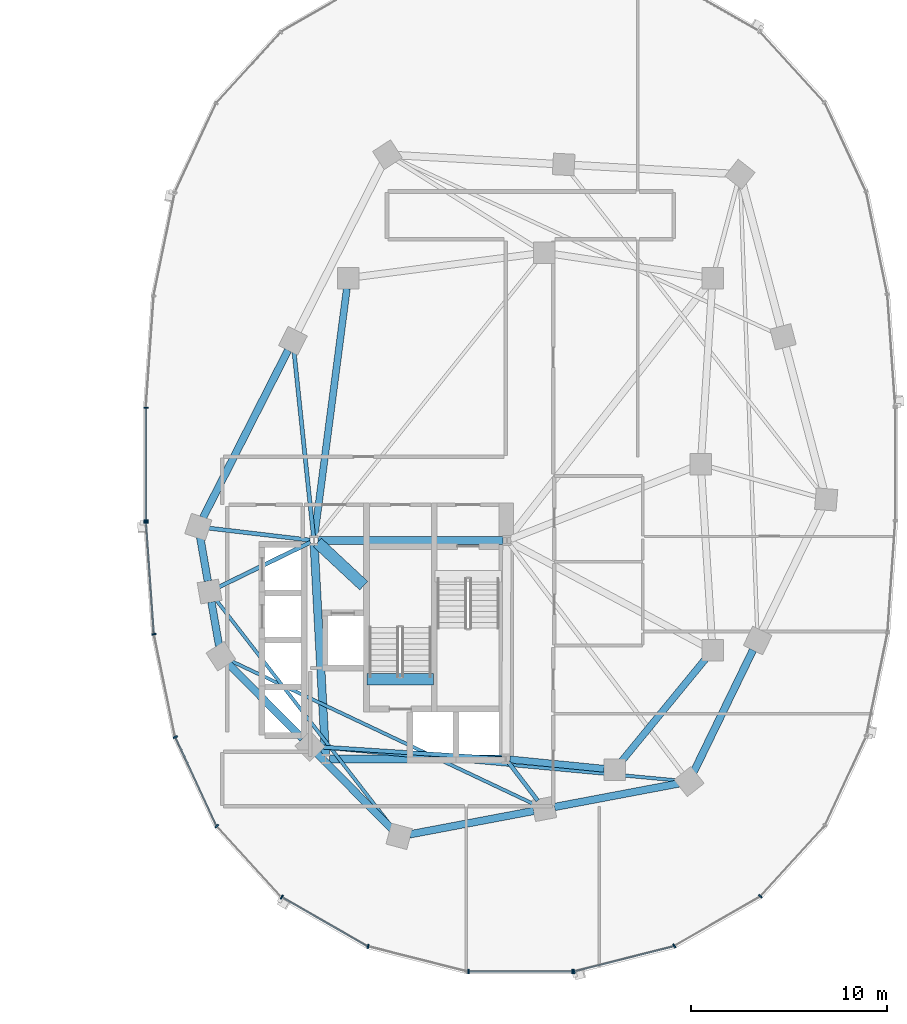
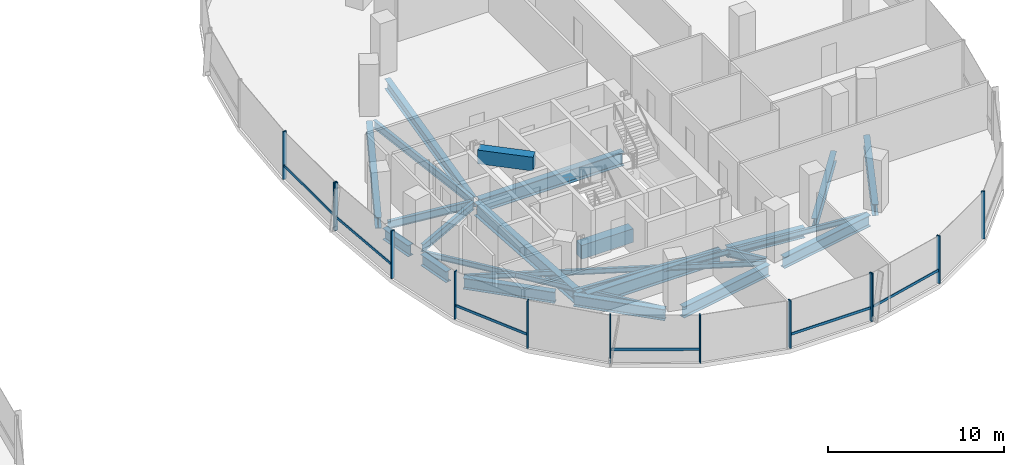
# One storey, part 5 of 21: 24 beams, 19 members, 3 elements without a shape of their own.
"""IFC4 building model written with IfcOpenShell, lengths in metres."""

from ifc_helpers import new_model, si_unit, direction, frame, origin, origin_2d, place, context, subcontext, project, spatial, rectangle, i_section, extrude, material, material_profile, profile_set, type_object, element, aggregate, save


model = new_model("IFC4")

# Units and contexts
model_context = context("Model", 3, precision=1e-05, world=origin(), true_north=direction((0.0, 1.0)))
body_context = subcontext(model_context, "Body", "Model", "MODEL_VIEW")
ifc_project = project(units=[si_unit("LENGTHUNIT", "METRE"), si_unit("AREAUNIT", "SQUARE_METRE"), si_unit("VOLUMEUNIT", "CUBIC_METRE"), si_unit("PLANEANGLEUNIT", "RADIAN"), si_unit("MASSUNIT", "GRAM", prefix="KILO"), si_unit("THERMODYNAMICTEMPERATUREUNIT", "KELVIN"), si_unit("POWERUNIT", "WATT")], contexts=[model_context])

# Site, building, storey
site_placement = place(None, origin())
site = spatial("IfcSite", under=ifc_project, at=site_placement, CompositionType="ELEMENT")
building_placement = place(site_placement, origin())
building = spatial("IfcBuilding", under=site, at=building_placement, Name="Cundina Bronze Exchange", CompositionType="ELEMENT")
storey_placement = place(building_placement, frame((0.0, 0.0, 89.0)))
storey = spatial("IfcBuildingStorey", under=building, at=storey_placement, Name="L22", CompositionType="ELEMENT", Elevation=89.0)

# Beams
ifc_material_1 = material(Name="Concrete C60/75", Category="concrete")
ifc_material_profile_1 = material_profile(ifc_material_1, rectangle(XDim=0.60009765625, YDim=0.949951171875, at=origin_2d()), Name="RC600X950", Category="concrete")
ifc_profile_set_1 = profile_set([ifc_material_profile_1], Name="Concrete C60/75")
beam_type_1 = type_object("IfcBeamType", Name="BM-COUP-RC950", PredefinedType="LINTEL", material=ifc_profile_set_1)
beam_1_placement = place(storey_placement, frame((24.159912109375, -10.97998046875, -0.47509765625), z_axis=(1.0, 0.0, 0.0), x_axis=(0.0, 1.0, 0.0)))
element("IfcBeam", 1, at=beam_1_placement, inside=storey, type_object=beam_type_1, Name="L22 Stair E2 Landing Header Beam", PredefinedType="LINTEL", context=body_context, shape_type="SweptSolid", body=[
    extrude(rectangle(XDim=0.60009765625, YDim=0.949951171875, at=origin_2d()), origin(), (0.0, 0.0, 1.0), 3.400146484375),
])
beam_2_placement = place(storey_placement, frame((21.6298828125, -4.0, 2.824951171875), z_axis=(0.731490439815, -0.681851696822, 0.0), x_axis=(0.681851696822, 0.731490439815, 0.0)))
element("IfcBeam", 2, at=beam_2_placement, inside=storey, type_object=beam_type_1, Name="L22 E Core Shear Coupling Lintel Beam", PredefinedType="LINTEL", context=body_context, shape_type="SweptSolid", body=[
    extrude(rectangle(XDim=0.60009765625, YDim=0.949951171875, at=origin_2d()), origin(), (0.0, 0.0, 1.0), 3.226318359375),
])
ifc_material_2 = material(Name="Steel ASTM A992 Grade 50", Category="steel")
ifc_material_profile_2 = material_profile(ifc_material_2, i_section(OverallWidth=0.2099609375, OverallDepth=0.532958984375, WebThickness=0.01025390625, FlangeThickness=0.015625, FilletRadius=0.013916015625, at=origin_2d()), Name="W21X62", Category="steel")
ifc_profile_set_2 = profile_set([ifc_material_profile_2], Name="Steel ASTM A992 Grade 50")
beam_type_2 = type_object("IfcBeamType", Name="BM-FLR-W21B", PredefinedType="BEAM", material=ifc_profile_set_2)
beam_3_placement = place(storey_placement, frame((21.247314453125, -3.8759765625, -0.56640625), z_axis=(-0.993035701683, 0.117813815752, 0.0), x_axis=(-0.117813815752, -0.993035701683, 0.0)))
element("IfcBeam", 3, at=beam_3_placement, inside=storey, type_object=beam_type_2, Name="L22 Leg E Chordal Floor Beam 00", PredefinedType="BEAM", context=body_context, shape_type="SweptSolid", body=[
    extrude(i_section(OverallWidth=0.2099609375, OverallDepth=0.532958984375, WebThickness=0.01025390625, FlangeThickness=0.015625, FilletRadius=0.013916015625, at=origin_2d()), origin(), (0.0, 0.0, 1.0), 5.19921875),
])
beam_4_placement = place(storey_placement, frame((21.2666015625, -3.989501953125, -0.56640625), z_axis=(-0.898607246385, -0.438753936443, 0.0), x_axis=(0.438753936443, -0.898607246385, 0.0)))
element("IfcBeam", 4, at=beam_4_placement, inside=storey, type_object=beam_type_2, Name="L22 Leg E Chordal Floor Beam 01", PredefinedType="BEAM", context=body_context, shape_type="SweptSolid", body=[
    extrude(i_section(OverallWidth=0.2099609375, OverallDepth=0.532958984375, WebThickness=0.01025390625, FlangeThickness=0.015625, FilletRadius=0.013916015625, at=origin_2d()), origin(), (0.0, 0.0, 1.0), 5.183837890625),
])
beam_5_placement = place(storey_placement, frame((31.04638671875, -15.036865234375, -0.56640625), z_axis=(-0.997892901568, 0.064882640211, 0.0), x_axis=(-0.064882640211, -0.997892901568, 0.0)))
element("IfcBeam", 5, at=beam_5_placement, inside=storey, type_object=beam_type_2, Name="L22 Leg E Chordal Floor Beam 03", PredefinedType="BEAM", context=body_context, shape_type="SweptSolid", body=[
    extrude(i_section(OverallWidth=0.2099609375, OverallDepth=0.532958984375, WebThickness=0.01025390625, FlangeThickness=0.015625, FilletRadius=0.013916015625, at=origin_2d()), origin(), (0.0, 0.0, 1.0), 9.279052734375),
])
beam_6_placement = place(storey_placement, frame((31.373779296875, -15.2119140625, -0.56640625), z_axis=(0.607490490457, -0.79432695032, 0.0), x_axis=(0.79432695032, 0.607490490457, 0.0)))
element("IfcBeam", 6, at=beam_6_placement, inside=storey, type_object=beam_type_2, Name="L22 Leg E Chordal Floor Beam 05", PredefinedType="BEAM", context=body_context, shape_type="SweptSolid", body=[
    extrude(i_section(OverallWidth=0.2099609375, OverallDepth=0.532958984375, WebThickness=0.01025390625, FlangeThickness=0.015625, FilletRadius=0.013916015625, at=origin_2d()), origin(), (0.0, 0.0, 1.0), 2.46826171875),
])
beam_7_placement = place(storey_placement, frame((21.4287109375, -3.697021484375, -0.56640625), z_axis=(-0.104822364957, 0.994490961148, 0.0), x_axis=(-0.994490961148, -0.104822364957, 0.0)))
element("IfcBeam", 7, at=beam_7_placement, inside=storey, type_object=beam_type_2, Name="L22 Leg E Chordal Floor Beam 13", PredefinedType="BEAM", context=body_context, shape_type="SweptSolid", body=[
    extrude(i_section(OverallWidth=0.2099609375, OverallDepth=0.532958984375, WebThickness=0.01025390625, FlangeThickness=0.015625, FilletRadius=0.013916015625, at=origin_2d()), origin(), (0.0, 0.0, 1.0), 9.514404296875),
])
ifc_material_profile_3 = material_profile(ifc_material_2, i_section(OverallWidth=0.172119140625, OverallDepth=0.35791015625, WebThickness=0.0078125, FlangeThickness=0.01318359375, FilletRadius=0.010009765625, at=origin_2d()), Name="W14X38", Category="steel")
ifc_profile_set_3 = profile_set([ifc_material_profile_3], Name="Steel ASTM A992 Grade 50")
beam_type_3 = type_object("IfcBeamType", Name="BM-JST-W14", PredefinedType="JOIST", material=ifc_profile_set_3)
beam_8_placement = place(storey_placement, frame((16.454345703125, -6.92529296875, -0.47900390625), z_axis=(0.612065218806, -0.790807288742, 0.0), x_axis=(0.790807288742, 0.612065218806, 0.0)))
element("IfcBeam", 8, at=beam_8_placement, inside=storey, type_object=beam_type_3, Name="L22 Leg E Lobe Floor Joist 01-04", PredefinedType="JOIST", context=body_context, shape_type="SweptSolid", body=[
    extrude(i_section(OverallWidth=0.172119140625, OverallDepth=0.35791015625, WebThickness=0.0078125, FlangeThickness=0.01318359375, FilletRadius=0.010009765625, at=origin_2d()), origin(), (0.0, 0.0, 1.0), 14.73095703125),
])
beam_9_placement = place(storey_placement, frame((17.186279296875, -10.02978515625, -0.47900390625), z_axis=(0.904069270633, -0.427385954259, 0.0), x_axis=(0.427385954259, 0.904069270633, 0.0)))
element("IfcBeam", 9, at=beam_9_placement, inside=storey, type_object=beam_type_3, Name="L22 Leg E Lobe Floor Joist 02-05", PredefinedType="JOIST", context=body_context, shape_type="SweptSolid", body=[
    extrude(i_section(OverallWidth=0.172119140625, OverallDepth=0.35791015625, WebThickness=0.0078125, FlangeThickness=0.01318359375, FilletRadius=0.010009765625, at=origin_2d()), origin(), (0.0, 0.0, 1.0), 17.175048828125),
])
beam_10_placement = place(storey_placement, frame((21.78564453125, -14.44970703125, -0.47900390625), z_axis=(0.995700674022, -0.092629194921, 0.0), x_axis=(0.092629194921, 0.995700674022, 0.0)))
element("IfcBeam", 10, at=beam_10_placement, inside=storey, type_object=beam_type_3, Name="L22 Leg E Lobe Floor Joist 03-06", PredefinedType="JOIST", context=body_context, shape_type="SweptSolid", body=[
    extrude(i_section(OverallWidth=0.172119140625, OverallDepth=0.35791015625, WebThickness=0.0078125, FlangeThickness=0.01318359375, FilletRadius=0.010009765625, at=origin_2d()), origin(), (0.0, 0.0, 1.0), 18.357421875),
])
ifc_material_profile_4 = material_profile(ifc_material_2, i_section(OverallWidth=0.35498046875, OverallDepth=0.695068359375, WebThickness=0.015380859375, FlangeThickness=0.02490234375, FilletRadius=0.01806640625, at=origin_2d()), Name="W27X146", Category="steel")
ifc_profile_set_4 = profile_set([ifc_material_profile_4], Name="Steel ASTM A992 Grade 50")
beam_type_4 = type_object("IfcBeamType", Name="BM-RING-W27", PredefinedType="USERDEFINED", material=ifc_profile_set_4)
beam_11_placement = place(storey_placement, frame((31.452880859375, -15.070068359375, -0.6474609375), z_axis=(0.995126271817, -0.098608839051, 0.0), x_axis=(0.098608839051, 0.995126271817, 0.0)))
element("IfcBeam", 11, at=beam_11_placement, inside=storey, type_object=beam_type_4, Name="L22 E Inner Structural Ring Girder 01", ObjectType="GIRDER", PredefinedType="USERDEFINED", context=body_context, shape_type="SweptSolid", body=[
    extrude(i_section(OverallWidth=0.35498046875, OverallDepth=0.695068359375, WebThickness=0.015380859375, FlangeThickness=0.02490234375, FilletRadius=0.01806640625, at=origin_2d()), origin(), (0.0, 0.0, 1.0), 4.83544921875),
])
beam_12_placement = place(storey_placement, frame((37.14111328125, -15.183837890625, -0.6474609375), z_axis=(0.633926549035, 0.773393257295, 0.0), x_axis=(-0.773393257295, 0.633926549035, 0.0)))
element("IfcBeam", 12, at=beam_12_placement, inside=storey, type_object=beam_type_4, Name="L22 E Inner Structural Ring Girder 02", ObjectType="GIRDER", PredefinedType="USERDEFINED", context=body_context, shape_type="SweptSolid", body=[
    extrude(i_section(OverallWidth=0.35498046875, OverallDepth=0.695068359375, WebThickness=0.015380859375, FlangeThickness=0.02490234375, FilletRadius=0.01806640625, at=origin_2d()), origin(), (0.0, 0.0, 1.0), 6.811279296875),
])
beam_13_placement = place(storey_placement, frame((23.13037109375, 8.966552734375, -0.6474609375), z_axis=(-0.129507526533, -0.99157843894, 0.0), x_axis=(0.99157843894, -0.129507526533, 0.0)))
element("IfcBeam", 13, at=beam_13_placement, inside=storey, type_object=beam_type_4, Name="L22 E Inner Structural Ring Girder 07", ObjectType="GIRDER", PredefinedType="USERDEFINED", context=body_context, shape_type="SweptSolid", body=[
    extrude(i_section(OverallWidth=0.35498046875, OverallDepth=0.695068359375, WebThickness=0.015380859375, FlangeThickness=0.02490234375, FilletRadius=0.01806640625, at=origin_2d()), origin(), (0.0, 0.0, 1.0), 12.77197265625),
])
ifc_material_profile_5 = material_profile(ifc_material_2, i_section(OverallWidth=0.381103515625, OverallDepth=0.77294921875, WebThickness=0.0166015625, FlangeThickness=0.027099609375, FilletRadius=0.01904296875, at=origin_2d()), Name="W30X173", Category="steel")
ifc_profile_set_5 = profile_set([ifc_material_profile_5], Name="Steel ASTM A992 Grade 50")
beam_type_5 = type_object("IfcBeamType", Name="BM-RING-W30", PredefinedType="USERDEFINED", material=ifc_profile_set_5)
for number, where, z_axis, x_axis, name in (
    (14, (15.642333984375, -3.72998046875, -0.6865234375), (0.171690078326, -0.985151012284, 0.0), (0.985151012284, 0.171690078326, 0.0), "L22 E Perimeter Ring Girder 00"),
    (15, (16.21728515625, -7.030029296875, -0.6865234375), (0.171690078326, -0.985151012284, 0.0), (0.985151012284, 0.171690078326, 0.0), "L22 E Perimeter Ring Girder 01"),
):
    element("IfcBeam", number, at=place(storey_placement, frame(where, z_axis=z_axis, x_axis=x_axis)), inside=storey, type_object=beam_type_5, Name=name, ObjectType="GIRDER", PredefinedType="USERDEFINED", context=body_context, shape_type="SweptSolid", body=[
        extrude(i_section(OverallWidth=0.381103515625, OverallDepth=0.77294921875, WebThickness=0.0166015625, FlangeThickness=0.027099609375, FilletRadius=0.01904296875, at=origin_2d()), origin(), (0.0, 0.0, 1.0), 2.273681640625),
    ])
for number, where, z_axis, x_axis, name in (
    (16, (17.078369140625, -10.1826171875, -0.6865234375), (0.703226342126, -0.7109660412, 0.0), (0.7109660412, 0.703226342126, 0.0), "L22 E Perimeter Ring Girder 02"),
    (17, (21.62841796875, -14.782470703125, -0.6865234375), (0.703226342126, -0.7109660412, 0.0), (0.7109660412, 0.703226342126, 0.0), "L22 E Perimeter Ring Girder 03"),
):
    element("IfcBeam", number, at=place(storey_placement, frame(where, z_axis=z_axis, x_axis=x_axis)), inside=storey, type_object=beam_type_5, Name=name, ObjectType="GIRDER", PredefinedType="USERDEFINED", context=body_context, shape_type="SweptSolid", body=[
        extrude(i_section(OverallWidth=0.381103515625, OverallDepth=0.77294921875, WebThickness=0.0166015625, FlangeThickness=0.027099609375, FilletRadius=0.01904296875, at=origin_2d()), origin(), (0.0, 0.0, 1.0), 5.39404296875),
    ])
for number, where, z_axis, x_axis, name in (
    (18, (26.32861328125, -18.89990234375, -0.6865234375), (0.98257117919, 0.185886733861, 0.0), (-0.185886733861, 0.98257117919, 0.0), "L22 E Perimeter Ring Girder 04"),
    (19, (33.728515625, -17.5, -0.6865234375), (0.98257117919, 0.185886733861, 0.0), (-0.185886733861, 0.98257117919, 0.0), "L22 E Perimeter Ring Girder 05"),
):
    element("IfcBeam", number, at=place(storey_placement, frame(where, z_axis=z_axis, x_axis=x_axis)), inside=storey, type_object=beam_type_5, Name=name, ObjectType="GIRDER", PredefinedType="USERDEFINED", context=body_context, shape_type="SweptSolid", body=[
        extrude(i_section(OverallWidth=0.381103515625, OverallDepth=0.77294921875, WebThickness=0.0166015625, FlangeThickness=0.027099609375, FilletRadius=0.01904296875, at=origin_2d()), origin(), (0.0, 0.0, 1.0), 6.455322265625),
    ])
beam_14_placement = place(storey_placement, frame((40.835205078125, -15.716064453125, -0.6865234375), z_axis=(0.437193894283, 0.899367276924, 0.0), x_axis=(-0.899367276924, 0.437193894283, 0.0)))
element("IfcBeam", 20, at=beam_14_placement, inside=storey, type_object=beam_type_5, Name="L22 E Perimeter Ring Girder 06", ObjectType="GIRDER", PredefinedType="USERDEFINED", context=body_context, shape_type="SweptSolid", body=[
    extrude(i_section(OverallWidth=0.381103515625, OverallDepth=0.77294921875, WebThickness=0.0166015625, FlangeThickness=0.027099609375, FilletRadius=0.01904296875, at=origin_2d()), origin(), (0.0, 0.0, 1.0), 6.929443359375),
])
beam_15_placement = place(storey_placement, frame((20.13134765625, 5.8203125, -0.6865234375), z_axis=(-0.452832332744, -0.891595692241, 0.0), x_axis=(0.891595692241, -0.452832332744, 0.0)))
element("IfcBeam", 21, at=beam_15_placement, inside=storey, type_object=beam_type_5, Name="L22 E Perimeter Ring Girder 13", ObjectType="GIRDER", PredefinedType="USERDEFINED", context=body_context, shape_type="SweptSolid", body=[
    extrude(i_section(OverallWidth=0.381103515625, OverallDepth=0.77294921875, WebThickness=0.0166015625, FlangeThickness=0.027099609375, FilletRadius=0.01904296875, at=origin_2d()), origin(), (0.0, 0.0, 1.0), 9.578857421875),
])
ifc_material_profile_6 = material_profile(ifc_material_2, i_section(OverallWidth=0.41796875, OverallDepth=0.927001953125, WebThickness=0.019287109375, FlangeThickness=0.031982421875, FilletRadius=0.02392578125, at=origin_2d()), Name="W36X231", Category="steel")
ifc_profile_set_6 = profile_set([ifc_material_profile_6], Name="Steel ASTM A992 Grade 50")
beam_type_6 = type_object("IfcBeamType", Name="BM-WRN-W36B", PredefinedType="USERDEFINED", material=ifc_profile_set_6)
beam_16_placement = place(storey_placement, frame((31.095947265625, -3.89990234375, -0.763427734375), z_axis=(-1.0, 0.0, 0.0), x_axis=(0.0, -1.0, 0.0)))
element("IfcBeam", 22, at=beam_16_placement, inside=storey, type_object=beam_type_6, Name="L22 E Core Perimeter Tie Girder 1", ObjectType="GIRDER", PredefinedType="USERDEFINED", context=body_context, shape_type="SweptSolid", body=[
    extrude(i_section(OverallWidth=0.41796875, OverallDepth=0.927001953125, WebThickness=0.019287109375, FlangeThickness=0.031982421875, FilletRadius=0.02392578125, at=origin_2d()), origin(), (0.0, 0.0, 1.0), 9.44189453125),
])
beam_17_placement = place(storey_placement, frame((21.4609375, -4.103759765625, -0.763427734375), z_axis=(0.053739193498, -0.998555005537, 0.0), x_axis=(0.998555005537, 0.053739193498, 0.0)))
element("IfcBeam", 23, at=beam_17_placement, inside=storey, type_object=beam_type_6, Name="L22 E Core Perimeter Tie Girder 2", ObjectType="GIRDER", PredefinedType="USERDEFINED", context=body_context, shape_type="SweptSolid", body=[
    extrude(i_section(OverallWidth=0.41796875, OverallDepth=0.927001953125, WebThickness=0.019287109375, FlangeThickness=0.031982421875, FilletRadius=0.02392578125, at=origin_2d()), origin(), (0.0, 0.0, 1.0), 10.758056640625),
])
beam_18_placement = place(storey_placement, frame((22.25390625, -15.050048828125, -0.763427734375), z_axis=(1.0, 0.0, 0.0), x_axis=(0.0, 1.0, 0.0)))
element("IfcBeam", 24, at=beam_18_placement, inside=storey, type_object=beam_type_6, Name="L22 E Core Perimeter Tie Girder 3", ObjectType="GIRDER", PredefinedType="USERDEFINED", context=body_context, shape_type="SweptSolid", body=[
    extrude(i_section(OverallWidth=0.41796875, OverallDepth=0.927001953125, WebThickness=0.019287109375, FlangeThickness=0.031982421875, FilletRadius=0.02392578125, at=origin_2d()), origin(), (0.0, 0.0, 1.0), 8.7919921875),
])

# Curtain wall, members
ifc_material_3 = material(Name="Anodised Bronze Aluminium 6063-T6", Category="aluminium")
curtain_wall_type = type_object("IfcCurtainWallType", Name="CWS-TRD-MID", PredefinedType="NOTDEFINED", material=ifc_material_3)
curtain_wall_1_placement = place(storey_placement, origin())
curtain_wall_1 = element("IfcCurtainWall", 25, at=curtain_wall_1_placement, inside=storey, type_object=curtain_wall_type, Name="L22 CW-03 Curtain Wall Run CWR-L22-E2", PredefinedType="NOTDEFINED")
ifc_material_profile_7 = material_profile(ifc_material_3, rectangle(XDim=0.074951171875, YDim=0.219970703125, at=origin_2d()), Name="AL75X220", Category="aluminium")
ifc_profile_set_7 = profile_set([ifc_material_profile_7], Name="Anodised Bronze Aluminium 6063-T6")
member_type_1 = type_object("IfcMemberType", Name="CWM-MUL-220", PredefinedType="MULLION", material=ifc_profile_set_7)
member_1_placement = place(storey_placement, frame((12.8720703125, 2.880615234375, 0.0), z_axis=(0.0, 0.0, 1.0), x_axis=(0.0, -1.0, 0.0)))
member_1 = element("IfcMember", 26, at=member_1_placement, type_object=member_type_1, Name="CW-03 Mullion 7", PredefinedType="MULLION", context=body_context, shape_type="SweptSolid", body=[
    extrude(rectangle(XDim=0.074951171875, YDim=0.219970703125, at=origin_2d()), origin(), (0.0, 0.0, 1.0), 3.300048828125),
])
member_2_placement = place(storey_placement, frame((12.8720703125, -2.880615234375, 0.0), z_axis=(0.0, 0.0, 1.0), x_axis=(0.0, -1.0, 0.0)))
member_2 = element("IfcMember", 27, at=member_2_placement, type_object=member_type_1, Name="CW-03 End Mullion", PredefinedType="MULLION", context=body_context, shape_type="SweptSolid", body=[
    extrude(rectangle(XDim=0.074951171875, YDim=0.219970703125, at=origin_2d()), origin(), (0.0, 0.0, 1.0), 3.300048828125),
])

curtain_wall_2_placement = place(storey_placement, origin())
curtain_wall_2 = element("IfcCurtainWall", 28, at=curtain_wall_2_placement, inside=storey, type_object=curtain_wall_type, Name="L22 CW-03 Curtain Wall Run CWR-L22-E3", PredefinedType="NOTDEFINED")
member_3_placement = place(storey_placement, frame((12.87548828125, -2.976318359375, 0.0), z_axis=(0.0, 0.0, 1.0), x_axis=(0.070278787473, -0.997527389113, 0.0)))
member_3 = element("IfcMember", 29, at=member_3_placement, type_object=member_type_1, Name="CW-03 Mullion 1", PredefinedType="MULLION", context=body_context, shape_type="SweptSolid", body=[
    extrude(rectangle(XDim=0.074951171875, YDim=0.219970703125, at=origin_2d()), origin(), (0.0, 0.0, 1.0), 3.300048828125),
])
member_4_placement = place(storey_placement, frame((13.282958984375, -8.67822265625, 0.0), z_axis=(0.0, 0.0, 1.0), x_axis=(0.201419845156, -0.979505000486, 0.0)))
member_4 = element("IfcMember", 30, at=member_4_placement, type_object=member_type_1, Name="CW-03 Mullion 2", PredefinedType="MULLION", context=body_context, shape_type="SweptSolid", body=[
    extrude(rectangle(XDim=0.074951171875, YDim=0.219970703125, at=origin_2d()), origin(), (0.0, 0.0, 1.0), 3.300048828125),
])
member_5_placement = place(storey_placement, frame((14.3720703125, -13.931884765625, 0.0), z_axis=(0.0, 0.0, 1.0), x_axis=(0.42087749791, -0.907117485088, 0.0)))
member_5 = element("IfcMember", 31, at=member_5_placement, type_object=member_type_1, Name="CW-03 Mullion 3", PredefinedType="MULLION", context=body_context, shape_type="SweptSolid", body=[
    extrude(rectangle(XDim=0.074951171875, YDim=0.219970703125, at=origin_2d()), origin(), (0.0, 0.0, 1.0), 3.300048828125),
])
member_6_placement = place(storey_placement, frame((16.491455078125, -18.47705078125, 0.0), z_axis=(0.0, 0.0, 1.0), x_axis=(0.674302387584, -0.738455340626, 0.0)))
member_6 = element("IfcMember", 32, at=member_6_placement, type_object=member_type_1, Name="CW-03 Mullion 4", PredefinedType="MULLION", context=body_context, shape_type="SweptSolid", body=[
    extrude(rectangle(XDim=0.074951171875, YDim=0.219970703125, at=origin_2d()), origin(), (0.0, 0.0, 1.0), 3.300048828125),
])
member_7_placement = place(storey_placement, frame((19.810302734375, -22.097412109375, 0.0), z_axis=(0.0, 0.0, 1.0), x_axis=(0.867070701164, -0.498185105339, 0.0)))
member_7 = element("IfcMember", 33, at=member_7_placement, type_object=member_type_1, Name="CW-03 Mullion 5", PredefinedType="MULLION", context=body_context, shape_type="SweptSolid", body=[
    extrude(rectangle(XDim=0.074951171875, YDim=0.219970703125, at=origin_2d()), origin(), (0.0, 0.0, 1.0), 3.300048828125),
])
member_8_placement = place(storey_placement, frame((24.21484375, -24.61669921875, 0.0), z_axis=(0.0, 0.0, 1.0), x_axis=(0.969488149345, -0.245138182011, 0.0)))
member_8 = element("IfcMember", 34, at=member_8_placement, type_object=member_type_1, Name="CW-03 Mullion 6", PredefinedType="MULLION", context=body_context, shape_type="SweptSolid", body=[
    extrude(rectangle(XDim=0.074951171875, YDim=0.219970703125, at=origin_2d()), origin(), (0.0, 0.0, 1.0), 3.300048828125),
])
member_9_placement = place(storey_placement, frame((29.345458984375, -25.905029296875, 0.0), z_axis=(0.0, 0.0, 1.0), x_axis=(1.0, 0.0, 0.0)))
member_9 = element("IfcMember", 35, at=member_9_placement, type_object=member_type_1, Name="CW-03 Mullion 7", PredefinedType="MULLION", context=body_context, shape_type="SweptSolid", body=[
    extrude(rectangle(XDim=0.074951171875, YDim=0.219970703125, at=origin_2d()), origin(), (0.0, 0.0, 1.0), 3.300048828125),
])
member_10_placement = place(storey_placement, frame((34.654541015625, -25.905029296875, 0.0), z_axis=(0.0, 0.0, 1.0), x_axis=(1.0, 0.0, 0.0)))
member_10 = element("IfcMember", 36, at=member_10_placement, type_object=member_type_1, Name="CW-03 End Mullion", PredefinedType="MULLION", context=body_context, shape_type="SweptSolid", body=[
    extrude(rectangle(XDim=0.074951171875, YDim=0.219970703125, at=origin_2d()), origin(), (0.0, 0.0, 1.0), 3.300048828125),
])

curtain_wall_3_placement = place(storey_placement, origin())
curtain_wall_3 = element("IfcCurtainWall", 37, at=curtain_wall_3_placement, inside=storey, type_object=curtain_wall_type, Name="L22 CW-03 Curtain Wall Run CWR-L22-E4", PredefinedType="NOTDEFINED")
member_11_placement = place(storey_placement, frame((34.72607421875, -25.89599609375, 0.0), z_axis=(0.0, 0.0, 1.0), x_axis=(0.969488149345, 0.245138182011, 0.0)))
member_11 = element("IfcMember", 38, at=member_11_placement, type_object=member_type_1, Name="CW-03 Mullion 1", PredefinedType="MULLION", context=body_context, shape_type="SweptSolid", body=[
    extrude(rectangle(XDim=0.074951171875, YDim=0.219970703125, at=origin_2d()), origin(), (0.0, 0.0, 1.0), 3.300048828125),
])
member_12_placement = place(storey_placement, frame((39.848876953125, -24.591064453125, 0.0), z_axis=(0.0, 0.0, 1.0), x_axis=(0.867070701164, 0.498185105339, 0.0)))
member_12 = element("IfcMember", 39, at=member_12_placement, type_object=member_type_1, Name="CW-03 Mullion 2", PredefinedType="MULLION", context=body_context, shape_type="SweptSolid", body=[
    extrude(rectangle(XDim=0.074951171875, YDim=0.219970703125, at=origin_2d()), origin(), (0.0, 0.0, 1.0), 3.300048828125),
])
member_13_placement = place(storey_placement, frame((44.239501953125, -22.0576171875, 0.0), z_axis=(0.0, 0.0, 1.0), x_axis=(0.674302387584, 0.738455340626, 0.0)))
member_13 = element("IfcMember", 40, at=member_13_placement, type_object=member_type_1, Name="CW-03 Mullion 3", PredefinedType="MULLION", context=body_context, shape_type="SweptSolid", body=[
    extrude(rectangle(XDim=0.074951171875, YDim=0.219970703125, at=origin_2d()), origin(), (0.0, 0.0, 1.0), 3.300048828125),
])

# Member
ifc_material_profile_8 = material_profile(ifc_material_3, rectangle(XDim=0.070068359375, YDim=0.179931640625, at=origin_2d()), Name="AL70X180", Category="aluminium")
ifc_profile_set_8 = profile_set([ifc_material_profile_8], Name="Anodised Bronze Aluminium 6063-T6")
member_type_2 = type_object("IfcMemberType", Name="CWM-TRN-180", PredefinedType="USERDEFINED", material=ifc_profile_set_8)
member_14_placement = place(storey_placement, frame((12.8720703125, 2.839111328125, 0.919921875), z_axis=(0.0, -1.0, 0.0), x_axis=(1.0, 0.0, 0.0)))
member_14 = element("IfcMember", 41, at=member_14_placement, type_object=member_type_2, Name="CW-03 Spandrel Transom 7", ObjectType="TRANSOM", PredefinedType="USERDEFINED", context=body_context, shape_type="SweptSolid", body=[
    extrude(rectangle(XDim=0.070068359375, YDim=0.179931640625, at=origin_2d()), origin(), (0.0, 0.0, 1.0), 5.67822265625),
])

aggregate(curtain_wall_1, [member_1, member_2, member_14])

member_15_placement = place(storey_placement, frame((12.87841796875, -3.017333984375, 0.919921875), z_axis=(0.070260714471, -0.997528662246, 0.0), x_axis=(0.997528662246, 0.070260714471, 0.0)))
member_15 = element("IfcMember", 42, at=member_15_placement, type_object=member_type_2, Name="CW-03 Spandrel Transom 1", ObjectType="TRANSOM", PredefinedType="USERDEFINED", context=body_context, shape_type="SweptSolid", body=[
    extrude(rectangle(XDim=0.070068359375, YDim=0.179931640625, at=origin_2d()), origin(), (0.0, 0.0, 1.0), 5.629150390625),
])

member_16_placement = place(storey_placement, frame((14.389404296875, -13.96923828125, 0.919921875), z_axis=(0.420811422796, -0.907148139195, 0.0), x_axis=(0.907148139195, 0.420811422796, 0.0)))
member_16 = element("IfcMember", 43, at=member_16_placement, type_object=member_type_2, Name="CW-03 Spandrel Transom 3", ObjectType="TRANSOM", PredefinedType="USERDEFINED", context=body_context, shape_type="SweptSolid", body=[
    extrude(rectangle(XDim=0.070068359375, YDim=0.179931640625, at=origin_2d()), origin(), (0.0, 0.0, 1.0), 4.95166015625),
])

member_17_placement = place(storey_placement, frame((19.845947265625, -22.117919921875, 0.919921875), z_axis=(0.867097475651, -0.498138502546, 0.0), x_axis=(0.498138502546, 0.867097475651, 0.0)))
member_17 = element("IfcMember", 44, at=member_17_placement, type_object=member_type_2, Name="CW-03 Spandrel Transom 5", ObjectType="TRANSOM", PredefinedType="USERDEFINED", context=body_context, shape_type="SweptSolid", body=[
    extrude(rectangle(XDim=0.070068359375, YDim=0.179931640625, at=origin_2d()), origin(), (0.0, 0.0, 1.0), 5.00634765625),
])

member_18_placement = place(storey_placement, frame((29.38671875, -25.905029296875, 0.919921875), z_axis=(1.0, 0.0, 0.0), x_axis=(0.0, 1.0, 0.0)))
member_18 = element("IfcMember", 45, at=member_18_placement, type_object=member_type_2, Name="CW-03 Spandrel Transom 7", ObjectType="TRANSOM", PredefinedType="USERDEFINED", context=body_context, shape_type="SweptSolid", body=[
    extrude(rectangle(XDim=0.070068359375, YDim=0.179931640625, at=origin_2d()), origin(), (0.0, 0.0, 1.0), 5.2265625),
])

aggregate(curtain_wall_2, [member_3, member_15, member_4, member_5, member_16, member_6, member_7, member_17, member_8, member_9, member_10, member_18])

member_19_placement = place(storey_placement, frame((34.76611328125, -25.885986328125, 0.919921875), z_axis=(0.969483968866, 0.245154714644, 0.0), x_axis=(-0.245154714644, 0.969483968866, 0.0)))
member_19 = element("IfcMember", 46, at=member_19_placement, type_object=member_type_2, Name="CW-03 Spandrel Transom 1", ObjectType="TRANSOM", PredefinedType="USERDEFINED", context=body_context, shape_type="SweptSolid", body=[
    extrude(rectangle(XDim=0.070068359375, YDim=0.179931640625, at=origin_2d()), origin(), (0.0, 0.0, 1.0), 5.21826171875),
])

aggregate(curtain_wall_3, [member_11, member_19, member_12, member_13])

save(model, "model.ifc")
